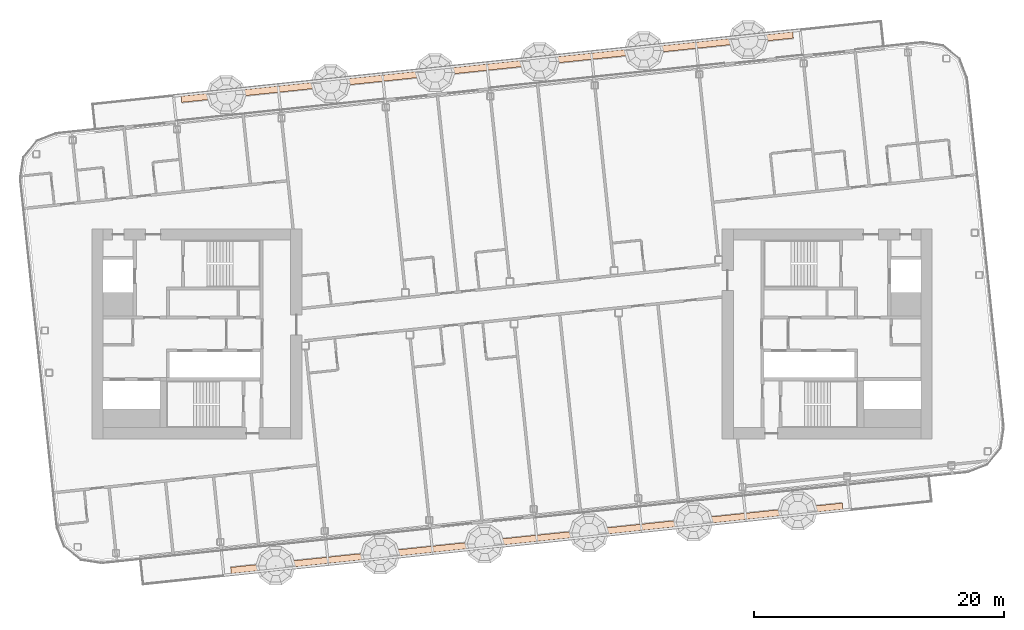
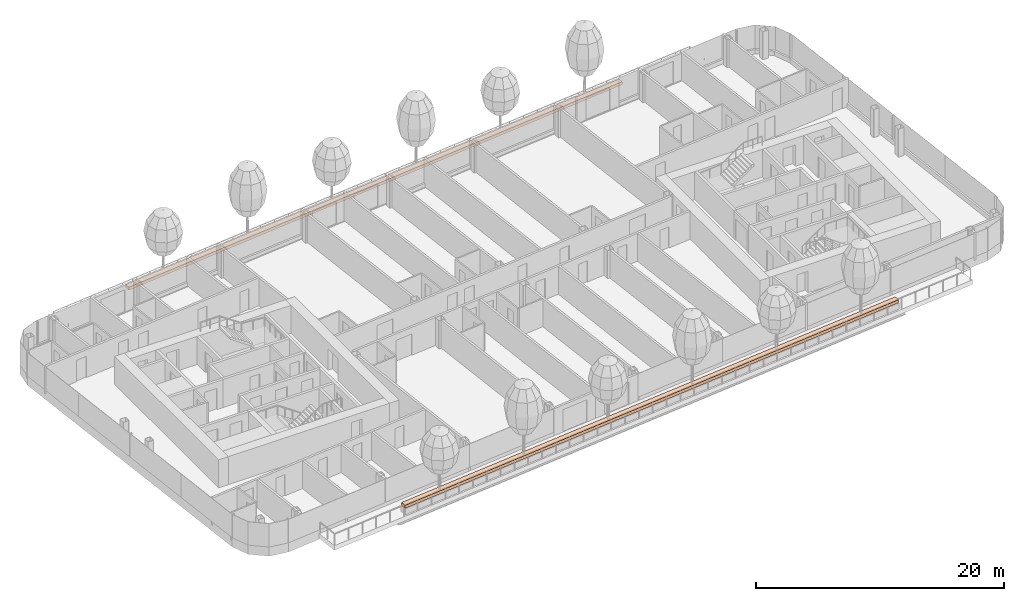
# One storey, part 28 of 30: 2 geographic elements.
"""IFC4 building model written with IfcOpenShell, lengths in metres."""

from ifc_helpers import new_model, si_unit, direction, frame, origin, origin_2d, place, context, subcontext, project, spatial, rectangle, extrude, material, type_object, element, save


model = new_model("IFC4")

# Units and contexts
model_context = context("Model", 3, precision=1e-05, world=origin(), true_north=direction((0.0, 1.0)))
body_context = subcontext(model_context, "Body", "Model", "MODEL_VIEW")
ifc_project = project(units=[si_unit("LENGTHUNIT", "METRE"), si_unit("AREAUNIT", "SQUARE_METRE"), si_unit("VOLUMEUNIT", "CUBIC_METRE"), si_unit("PLANEANGLEUNIT", "RADIAN"), si_unit("MASSUNIT", "GRAM", prefix="KILO")], contexts=[model_context])

# Site, building, storey
site_placement = place(None, origin())
site = spatial("IfcSite", under=ifc_project, at=site_placement, CompositionType="ELEMENT")
building_placement = place(site_placement, origin())
building = spatial("IfcBuilding", under=site, at=building_placement, Name="Hakoniwa Tower and Hamabe Station Hall", CompositionType="ELEMENT")
storey_placement = place(building_placement, frame((0.0, 0.0, 245.39990234375)))
storey = spatial("IfcBuildingStorey", under=building, at=storey_placement, Name="L69", CompositionType="ELEMENT", Elevation=245.39990234375)

# Geographic elements
ifc_material = material(Name="Shrub planting")
geographic_element_type = type_object("IfcGeographicElementType", Name="Shrub planting bed 500x300", PredefinedType="USERDEFINED", material=ifc_material)
for number, where, z_axis, x_axis, name in (
    (1, (-1.980712890625, 21.34619140625, 0.60009765625), (0.0, 0.0, 1.0), (0.994521895368, 0.104528463268, 0.0), "Shrub planting bed 500x300"),
    (2, (1.980712890625, -16.34619140625, 0.60009765625), (0.0, 0.0, 1.0), (0.994521895368, 0.104528463268, 0.0), "Shrub planting bed 500x300"),
):
    element("IfcGeographicElement", number, at=place(storey_placement, frame(where, z_axis=z_axis, x_axis=x_axis)), inside=storey, type_object=geographic_element_type, Name=name, ObjectType="PLANTING", PredefinedType="USERDEFINED", context=body_context, shape_type="SweptSolid", body=[
        extrude(rectangle(XDim=49.199951171875, YDim=0.5, at=origin_2d()), origin(), (0.0, 0.0, 1.0), 0.300048828125),
    ])

save(model, "model.ifc")
